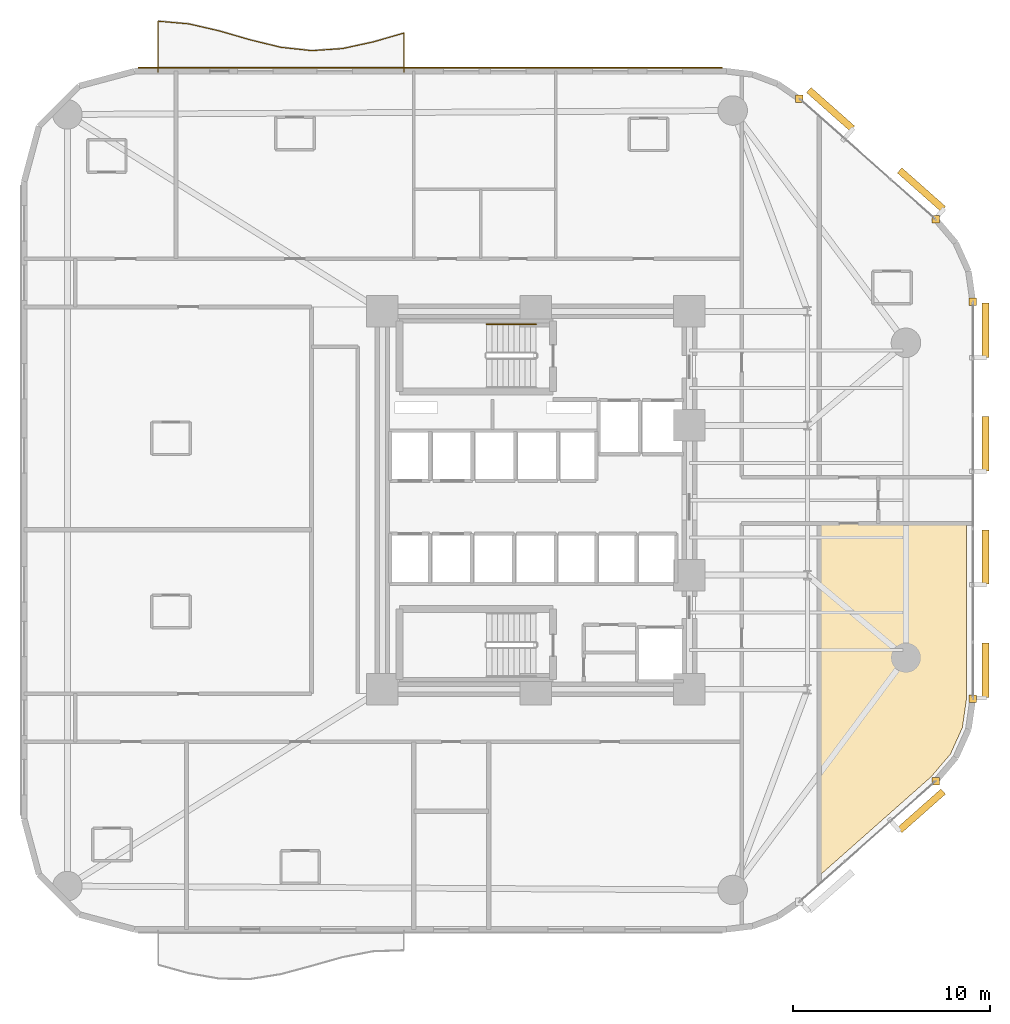
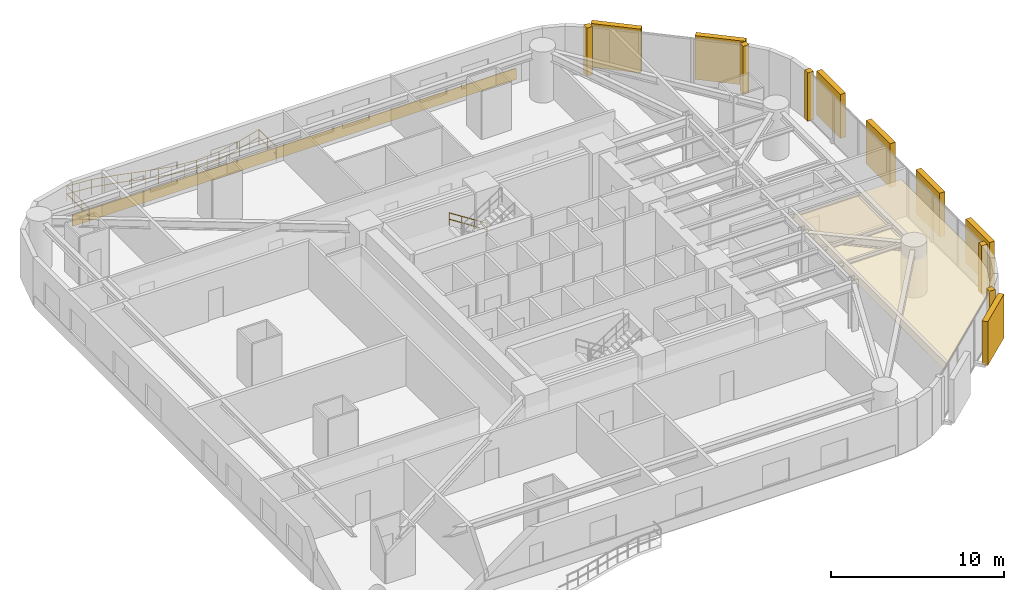
# One storey, part 17 of 17: 7 coverings, 7 shading devices, 2 railings.
"""IFC4 building model written with IfcOpenShell, lengths in metres."""

from ifc_helpers import new_model, si_unit, direction, frame, origin, origin_2d, place, context, subcontext, project, spatial, polyline, rectangle, circle, outline, extrude, material, layer, layer_set, type_object, element, save


model = new_model("IFC4")

# Units and contexts
model_context = context("Model", 3, precision=1e-05, world=origin(), true_north=direction((0.0, 1.0)))
body_context = subcontext(model_context, "Body", "Model", "MODEL_VIEW")
ifc_project = project(units=[si_unit("LENGTHUNIT", "METRE"), si_unit("AREAUNIT", "SQUARE_METRE"), si_unit("VOLUMEUNIT", "CUBIC_METRE"), si_unit("PLANEANGLEUNIT", "RADIAN"), si_unit("MASSUNIT", "GRAM", prefix="KILO")], contexts=[model_context])

# Site, building, storey
site_placement = place(None, origin())
site = spatial("IfcSite", under=ifc_project, at=site_placement, CompositionType="ELEMENT")
building_placement = place(site_placement, origin())
building = spatial("IfcBuilding", under=site, at=building_placement, Name="An Khanh Terracotta Commons", CompositionType="ELEMENT")
storey_placement = place(building_placement, frame((0.0, 0.0, 32.39990234375)))
storey = spatial("IfcBuildingStorey", under=building, at=storey_placement, Name="L08", CompositionType="ELEMENT", Elevation=32.39990234375)

# Coverings
ifc_material_1 = material(Name="Perforated Mineral-Fibre Acoustic Tile")
ifc_layer_1 = layer(ifc_material_1, 0.02001953125, Name="Perforated Mineral-Fibre Acoustic Tile")
ifc_layer_set_1 = layer_set([ifc_layer_1], Name="Perforated Mineral-Fibre Acoustic Tile")
covering_type_1 = type_object("IfcCoveringType", Name="CEIL-ACOUSTIC-18", PredefinedType="CEILING", material=ifc_layer_set_1)
covering_1_placement = place(storey_placement, frame((0.0, 0.0, 2.650146484375)))
element("IfcCovering", 1, at=covering_1_placement, inside=storey, type_object=covering_type_1, Name="L08 Riverfront Reading Hall Ceiling", PredefinedType="CEILING", context=body_context, shape_type="SweptSolid", body=[
    extrude(outline(polyline([(51.280029296875, 13.946044921875), (51.069091796875, 12.452880859375), (50.458984375, 11.10107421875), (49.48095703125, 9.952880859375), (43.800048828125, 4.927978515625), (43.800048828125, 22.820068359375), (46.800048828125, 22.820068359375), (51.280029296875, 22.820068359375), (51.280029296875, 13.946044921875)])), origin(), (0.0, 0.0, 1.0), 0.02001953125),
])
ifc_material_2 = material(Name="Fired Terracotta Rainscreen Cladding", Category="masonry")
ifc_layer_2 = layer(ifc_material_2, 0.080078125, Name="Fired Terracotta Rainscreen Cladding")
ifc_layer_set_2 = layer_set([ifc_layer_2], Name="Fired Terracotta Rainscreen Cladding")
covering_type_2 = type_object("IfcCoveringType", Name="COV-JAMB-TERRA", PredefinedType="CLADDING", material=ifc_layer_set_2)
for number, where, z_axis, x_axis, name in (
    (2, (49.7099609375, 9.72802734375, 0.000244140625), (0.0, 0.0, 1.0), (1.0, 0.0, 0.0), "L08 CW-02 Curtain-Wall Jamb Closure JB"),
    (3, (51.60009765625, 13.923095703125, 0.000244140625), (0.0, 0.0, 1.0), (1.0, 0.0, 0.0), "L08 CW-02 Curtain-Wall Jamb Closure JA"),
    (4, (51.60009765625, 34.076904296875, 0.000244140625), (0.0, 0.0, 1.0), (1.0, 0.0, 0.0), "L08 CW-02 Curtain-Wall Jamb Closure JB"),
    (5, (49.7099609375, 38.27197265625, 0.000244140625), (0.0, 0.0, 1.0), (1.0, 0.0, 0.0), "L08 CW-02 Curtain-Wall Jamb Closure JA"),
    (6, (42.7890625, 44.39404296875, 0.000244140625), (0.0, 0.0, 1.0), (1.0, 0.0, 0.0), "L08 CW-02 Curtain-Wall Jamb Closure JB"),
):
    element("IfcCovering", number, at=place(storey_placement, frame(where, z_axis=z_axis, x_axis=x_axis)), inside=storey, type_object=covering_type_2, Name=name, PredefinedType="CLADDING", context=body_context, shape_type="SweptSolid", body=[
        extrude(rectangle(XDim=0.3798828125, YDim=0.3798828125, at=origin_2d()), origin(), (0.0, 0.0, 1.0), 3.39990234375),
    ])
ifc_layer_3 = layer(ifc_material_2, 0.06005859375, Name="Fired Terracotta Rainscreen Cladding")
ifc_layer_set_3 = layer_set([ifc_layer_3], Name="Fired Terracotta Rainscreen Cladding")
covering_type_3 = type_object("IfcCoveringType", Name="COV-SPANDREL-TERRA", PredefinedType="CLADDING", material=ifc_layer_set_3)
covering_2_placement = place(storey_placement, frame((24.0400390625, 45.97998046875, 0.02001953125), z_axis=(0.0, 0.0, 1.0), x_axis=(-1.0, 0.0, 0.0)))
element("IfcCovering", 7, at=covering_2_placement, inside=storey, type_object=covering_type_3, Name="L08 Terracotta Spandrel Cladding 20", PredefinedType="CLADDING", context=body_context, shape_type="SweptSolid", body=[
    extrude(rectangle(XDim=29.678955078125, YDim=0.06005859375, at=origin_2d()), origin(), (0.0, 0.0, 1.0), 0.800048828125),
])

# Railings
ifc_material_3 = material(Name="Brushed Stainless Steel 316", Category="steel")
railing_type_1 = type_object("IfcRailingType", Name="RAIL-BALUSTRADE-1100", PredefinedType="BALUSTRADE", material=ifc_material_3)
railing_1_placement = place(storey_placement, frame((22.699951171875, 45.739990234375, 0.0)))
element("IfcRailing", 8, at=railing_1_placement, inside=storey, type_object=railing_type_1, Name="L08 N Wave Balcony Guard Balustrade", PredefinedType="BALUSTRADE", context=body_context, shape_type="SweptSolid", body=[
    extrude(circle(Radius=0.02392578125, at=origin_2d()), frame((0.0, 0.0, 1.076171875), z_axis=(0.0, 1.0, 0.0), x_axis=(-1.0, 0.0, 0.0)), (0.0, 0.0, 1.0), 1.99609375),
    extrude(circle(Radius=0.02392578125, at=origin_2d()), frame((0.0, 0.0, 0.52587890625), z_axis=(0.0, 1.0, 0.0), x_axis=(-1.0, 0.0, 0.0)), (0.0, 0.0, 1.0), 1.99609375),
    extrude(circle(Radius=0.02392578125, at=origin_2d()), frame((0.0, 1.99609375, 1.076171875), z_axis=(-0.960932670133, -0.276782231135, 0.0), x_axis=(0.276782231135, -0.960932670133, 0.0)), (0.0, 0.0, 1.0), 1.62646484375),
    extrude(circle(Radius=0.02392578125, at=origin_2d()), frame((0.0, 1.99609375, 0.52587890625), z_axis=(-0.960932670133, -0.276782231135, 0.0), x_axis=(0.276782231135, -0.960932670133, 0.0)), (0.0, 0.0, 1.0), 1.62646484375),
    extrude(circle(Radius=0.02392578125, at=origin_2d()), frame((-1.56298828125, 1.5458984375, 1.076171875), z_axis=(-0.977267260023, -0.212011090483, 0.0), x_axis=(0.212011090483, -0.977267260023, 0.0)), (0.0, 0.0, 1.0), 1.598388671875),
    extrude(circle(Radius=0.02392578125, at=origin_2d()), frame((-1.56298828125, 1.5458984375, 0.52587890625), z_axis=(-0.977267260023, -0.212011090483, 0.0), x_axis=(0.212011090483, -0.977267260023, 0.0)), (0.0, 0.0, 1.0), 1.598388671875),
    extrude(circle(Radius=0.02392578125, at=origin_2d()), frame((-3.125, 1.20703125, 1.076171875), z_axis=(-0.997751933428, -0.067015515679, 0.0), x_axis=(0.067015515679, -0.997751933428, 0.0)), (0.0, 0.0, 1.0), 1.56640625),
    extrude(circle(Radius=0.02392578125, at=origin_2d()), frame((-3.125, 1.20703125, 0.52587890625), z_axis=(-0.997751933428, -0.067015515679, 0.0), x_axis=(0.067015515679, -0.997751933428, 0.0)), (0.0, 0.0, 1.0), 1.56640625),
    extrude(circle(Radius=0.02392578125, at=origin_2d()), frame((-4.68798828125, 1.10205078125, 1.076171875), z_axis=(-0.994267926372, 0.106917213714, 0.0), x_axis=(-0.106917213714, -0.994267926372, 0.0)), (0.0, 0.0, 1.0), 1.571044921875),
    extrude(circle(Radius=0.02392578125, at=origin_2d()), frame((-4.68798828125, 1.10205078125, 0.52587890625), z_axis=(-0.994267926372, 0.106917213714, 0.0), x_axis=(-0.106917213714, -0.994267926372, 0.0)), (0.0, 0.0, 1.0), 1.571044921875),
    extrude(circle(Radius=0.02392578125, at=origin_2d()), frame((-6.25, 1.27001953125, 1.076171875), z_axis=(-0.971710923321, 0.23617341404, 0.0), x_axis=(-0.23617341404, -0.971710923321, 0.0)), (0.0, 0.0, 1.0), 1.6083984375),
    extrude(circle(Radius=0.02392578125, at=origin_2d()), frame((-6.25, 1.27001953125, 0.52587890625), z_axis=(-0.971710923321, 0.23617341404, 0.0), x_axis=(-0.23617341404, -0.971710923321, 0.0)), (0.0, 0.0, 1.0), 1.6083984375),
    extrude(circle(Radius=0.02392578125, at=origin_2d()), frame((-7.81298828125, 1.64990234375, 1.076171875), z_axis=(-0.960405845543, 0.278604759195, 0.0), x_axis=(-0.278604759195, -0.960405845543, 0.0)), (0.0, 0.0, 1.0), 1.62646484375),
    extrude(circle(Radius=0.02392578125, at=origin_2d()), frame((-7.81298828125, 1.64990234375, 0.52587890625), z_axis=(-0.960405845543, 0.278604759195, 0.0), x_axis=(-0.278604759195, -0.960405845543, 0.0)), (0.0, 0.0, 1.0), 1.62646484375),
    extrude(circle(Radius=0.02392578125, at=origin_2d()), frame((-9.375, 2.10302734375, 1.076171875), z_axis=(-0.97450395418, 0.22437032622, 0.0), x_axis=(-0.22437032622, -0.97450395418, 0.0)), (0.0, 0.0, 1.0), 1.603759765625),
    extrude(circle(Radius=0.02392578125, at=origin_2d()), frame((-9.375, 2.10302734375, 0.52587890625), z_axis=(-0.97450395418, 0.22437032622, 0.0), x_axis=(-0.22437032622, -0.97450395418, 0.0)), (0.0, 0.0, 1.0), 1.603759765625),
    extrude(circle(Radius=0.02392578125, at=origin_2d()), frame((-10.93798828125, 2.462890625, 1.076171875), z_axis=(-0.996164254423, 0.087503018285, 0.0), x_axis=(-0.087503018285, -0.996164254423, 0.0)), (0.0, 0.0, 1.0), 1.568115234375),
    extrude(circle(Radius=0.02392578125, at=origin_2d()), frame((-10.93798828125, 2.462890625, 0.52587890625), z_axis=(-0.996164254423, 0.087503018285, 0.0), x_axis=(-0.087503018285, -0.996164254423, 0.0)), (0.0, 0.0, 1.0), 1.568115234375),
    extrude(circle(Radius=0.02392578125, at=origin_2d()), frame((-12.5, 2.60009765625, 1.076171875), z_axis=(0.0, -1.0, 0.0), x_axis=(1.0, 0.0, 0.0)), (0.0, 0.0, 1.0), 2.60009765625),
    extrude(circle(Radius=0.02392578125, at=origin_2d()), frame((-12.5, 2.60009765625, 0.52587890625), z_axis=(0.0, -1.0, 0.0), x_axis=(1.0, 0.0, 0.0)), (0.0, 0.0, 1.0), 2.60009765625),
    extrude(circle(Radius=0.02099609375, at=origin_2d()), origin(), (0.0, 0.0, 1.0), 1.052001953125),
    extrude(circle(Radius=0.02099609375, at=origin_2d()), frame((0.0, 0.998046875, 0.0)), (0.0, 0.0, 1.0), 1.052001953125),
    extrude(circle(Radius=0.02099609375, at=origin_2d()), frame((0.0, 1.99609375, 0.0)), (0.0, 0.0, 1.0), 1.052001953125),
    extrude(circle(Radius=0.02099609375, at=origin_2d()), frame((-0.781494140625, 1.77099609375, 0.0)), (0.0, 0.0, 1.0), 1.052001953125),
    extrude(circle(Radius=0.02099609375, at=origin_2d()), frame((-1.56298828125, 1.5458984375, 0.0)), (0.0, 0.0, 1.0), 1.052001953125),
    extrude(circle(Radius=0.02099609375, at=origin_2d()), frame((-2.343994140625, 1.37646484375, 0.0)), (0.0, 0.0, 1.0), 1.052001953125),
    extrude(circle(Radius=0.02099609375, at=origin_2d()), frame((-3.125, 1.20703125, 0.0)), (0.0, 0.0, 1.0), 1.052001953125),
    extrude(circle(Radius=0.02099609375, at=origin_2d()), frame((-3.906494140625, 1.154541015625, 0.0)), (0.0, 0.0, 1.0), 1.052001953125),
    extrude(circle(Radius=0.02099609375, at=origin_2d()), frame((-4.68798828125, 1.10205078125, 0.0)), (0.0, 0.0, 1.0), 1.052001953125),
    extrude(circle(Radius=0.02099609375, at=origin_2d()), frame((-5.468994140625, 1.18603515625, 0.0)), (0.0, 0.0, 1.0), 1.052001953125),
    extrude(circle(Radius=0.02099609375, at=origin_2d()), frame((-6.25, 1.27001953125, 0.0)), (0.0, 0.0, 1.0), 1.052001953125),
    extrude(circle(Radius=0.02099609375, at=origin_2d()), frame((-7.031494140625, 1.4599609375, 0.0)), (0.0, 0.0, 1.0), 1.052001953125),
    extrude(circle(Radius=0.02099609375, at=origin_2d()), frame((-7.81298828125, 1.64990234375, 0.0)), (0.0, 0.0, 1.0), 1.052001953125),
    extrude(circle(Radius=0.02099609375, at=origin_2d()), frame((-8.593994140625, 1.87646484375, 0.0)), (0.0, 0.0, 1.0), 1.052001953125),
    extrude(circle(Radius=0.02099609375, at=origin_2d()), frame((-9.375, 2.10302734375, 0.0)), (0.0, 0.0, 1.0), 1.052001953125),
    extrude(circle(Radius=0.02099609375, at=origin_2d()), frame((-10.156494140625, 2.282958984375, 0.0)), (0.0, 0.0, 1.0), 1.052001953125),
    extrude(circle(Radius=0.02099609375, at=origin_2d()), frame((-10.93798828125, 2.462890625, 0.0)), (0.0, 0.0, 1.0), 1.052001953125),
    extrude(circle(Radius=0.02099609375, at=origin_2d()), frame((-11.718994140625, 2.531494140625, 0.0)), (0.0, 0.0, 1.0), 1.052001953125),
    extrude(circle(Radius=0.02099609375, at=origin_2d()), frame((-12.5, 2.60009765625, 0.0)), (0.0, 0.0, 1.0), 1.052001953125),
    extrude(circle(Radius=0.02099609375, at=origin_2d()), frame((-12.5, 1.7333984375, 0.0)), (0.0, 0.0, 1.0), 1.052001953125),
    extrude(circle(Radius=0.02099609375, at=origin_2d()), frame((-12.5, 0.86669921875, 0.0)), (0.0, 0.0, 1.0), 1.052001953125),
    extrude(circle(Radius=0.02099609375, at=origin_2d()), frame((-12.5, 0.0, 0.0)), (0.0, 0.0, 1.0), 1.052001953125),
])
railing_type_2 = type_object("IfcRailingType", Name="RAIL-HANDRAIL-900", PredefinedType="HANDRAIL", material=ifc_material_3)
railing_2_placement = place(storey_placement, frame((29.409912109375, 32.949951171875, 0.18017578125)))
element("IfcRailing", 9, at=railing_2_placement, inside=storey, type_object=railing_type_2, Name="L08 ST-01 stair handrail 1", PredefinedType="HANDRAIL", context=body_context, shape_type="SweptSolid", body=[
    extrude(circle(Radius=0.02392578125, at=origin_2d()), frame((0.0, 0.0, 0.8759765625), z_axis=(-0.841199657755, 0.0, 0.540724639528), x_axis=(0.0, -1.0, 0.0)), (0.0, 0.0, 1.0), 2.995849609375),
    extrude(circle(Radius=0.02392578125, at=origin_2d()), frame((0.0, 0.0, 0.42578125), z_axis=(-0.841199657755, 0.0, 0.540724639528), x_axis=(0.0, -1.0, 0.0)), (0.0, 0.0, 1.0), 2.995849609375),
    extrude(circle(Radius=0.02099609375, at=origin_2d()), origin(), (0.0, 0.0, 1.0), 0.851806640625),
    extrude(circle(Radius=0.02099609375, at=origin_2d()), frame((-0.840087890625, 0.0, 0.5400390625)), (0.0, 0.0, 1.0), 0.851806640625),
    extrude(circle(Radius=0.02099609375, at=origin_2d()), frame((-1.679931640625, 0.0, 1.079833984375)), (0.0, 0.0, 1.0), 0.851806640625),
    extrude(circle(Radius=0.02099609375, at=origin_2d()), frame((-2.52001953125, 0.0, 1.619873046875)), (0.0, 0.0, 1.0), 0.851806640625),
])

# Shading devices
ifc_material_4 = material(Name="Extruded Fired Terracotta", Category="masonry")
shading_device_type = type_object("IfcShadingDeviceType", Name="Terracotta Baguette Screen Assembly", PredefinedType="USERDEFINED", material=ifc_material_4)
shading_device_placement = place(storey_placement, frame((48.987060546875, 8.220947265625, 0.150146484375), z_axis=(0.0, 0.0, 1.0), x_axis=(0.749019284633, 0.662548195415, 0.0)))
element("IfcShadingDevice", 10, at=shading_device_placement, inside=storey, type_object=shading_device_type, Name="L08 Terracotta Baguette Screen 3", ObjectType="BAGUETTE", PredefinedType="USERDEFINED", context=body_context, shape_type="SweptSolid", body=[
    extrude(rectangle(XDim=2.9599609375, YDim=0.35009765625, at=origin_2d()), origin(), (0.0, 0.0, 1.0), 3.10009765625),
])
for number, where, z_axis, x_axis, name in (
    (11, (52.25, 15.363037109375, 0.150146484375), (0.0, 0.0, 1.0), (0.0, 1.0, 0.0), "L08 Terracotta Baguette Screen 1"),
    (12, (52.25, 21.12109375, 0.150146484375), (0.0, 0.0, 1.0), (0.0, 1.0, 0.0), "L08 Terracotta Baguette Screen 3"),
    (13, (52.25, 26.87890625, 0.150146484375), (0.0, 0.0, 1.0), (0.0, 1.0, 0.0), "L08 Terracotta Baguette Screen 5"),
    (14, (52.25, 32.636962890625, 0.150146484375), (0.0, 0.0, 1.0), (0.0, 1.0, 0.0), "L08 Terracotta Baguette Screen 7"),
):
    element("IfcShadingDevice", number, at=place(storey_placement, frame(where, z_axis=z_axis, x_axis=x_axis)), inside=storey, type_object=shading_device_type, Name=name, ObjectType="BAGUETTE", PredefinedType="USERDEFINED", context=body_context, shape_type="SweptSolid", body=[
        extrude(rectangle(XDim=2.759033203125, YDim=0.35009765625, at=origin_2d()), origin(), (0.0, 0.0, 1.0), 3.10009765625),
    ])
for number, where, z_axis, x_axis, name in (
    (15, (48.987060546875, 39.779052734375, 0.150146484375), (0.0, 0.0, 1.0), (-0.749019284633, 0.662548195415, 0.0), "L08 Terracotta Baguette Screen 1"),
    (16, (44.373046875, 43.861083984375, 0.150146484375), (0.0, 0.0, 1.0), (-0.749019284633, 0.662548195415, 0.0), "L08 Terracotta Baguette Screen 3"),
):
    element("IfcShadingDevice", number, at=place(storey_placement, frame(where, z_axis=z_axis, x_axis=x_axis)), inside=storey, type_object=shading_device_type, Name=name, ObjectType="BAGUETTE", PredefinedType="USERDEFINED", context=body_context, shape_type="SweptSolid", body=[
        extrude(rectangle(XDim=2.9599609375, YDim=0.35009765625, at=origin_2d()), origin(), (0.0, 0.0, 1.0), 3.10009765625),
    ])

save(model, "model.ifc")
